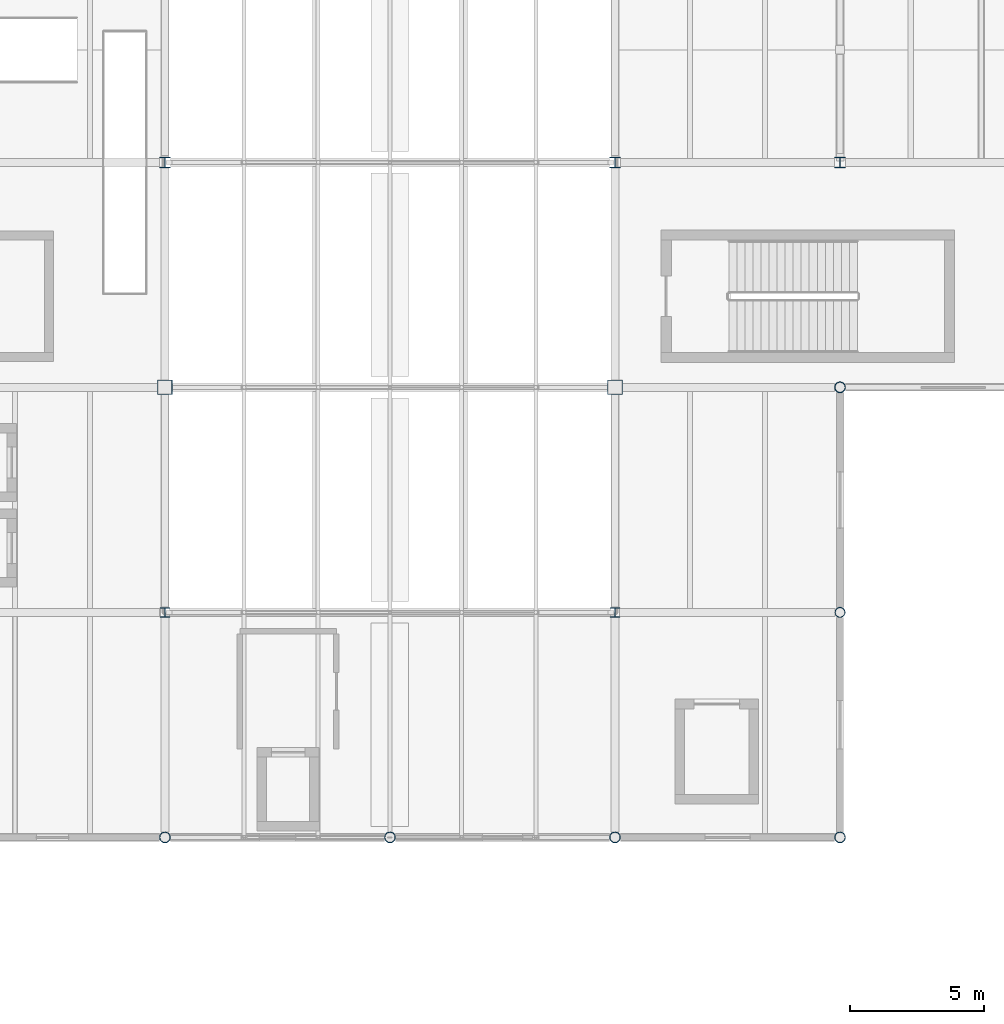
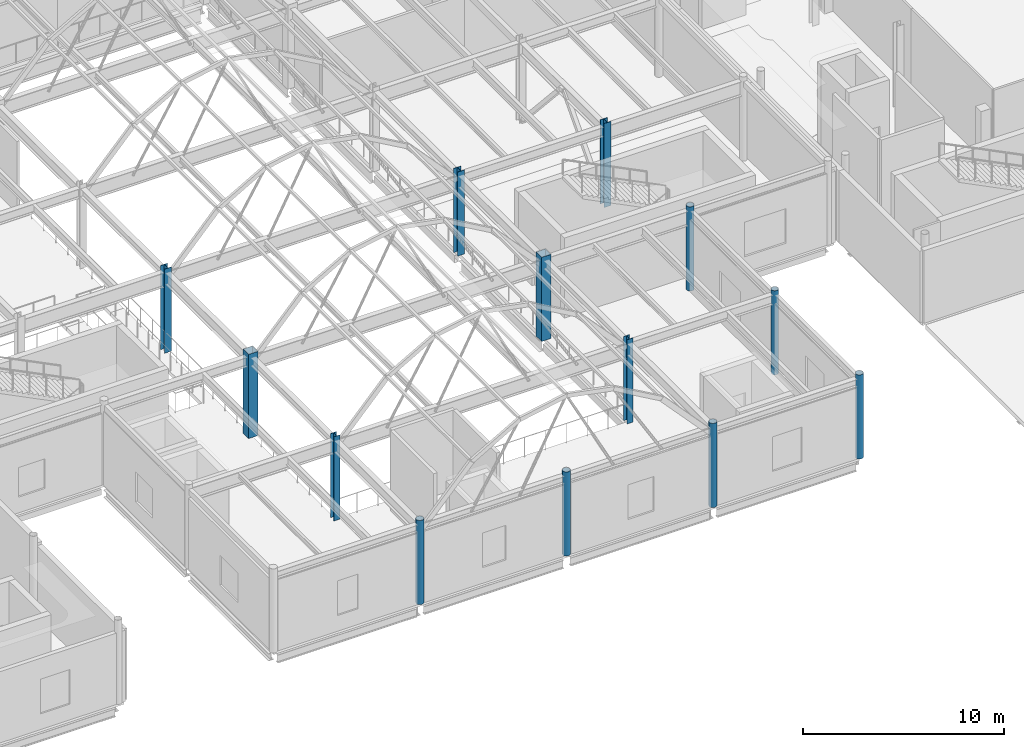
# One storey, part 4 of 103: 13 columns.
"""IFC4 building model written with IfcOpenShell, lengths in metres."""

from ifc_helpers import new_model, si_unit, direction, frame, origin, origin_2d, place, context, subcontext, project, spatial, hollow_rectangle, hollow_circle, i_section, extrude, material, material_profile, profile_set, type_object, element, save


model = new_model("IFC4")

# Units and contexts
model_context = context("Model", 3, precision=1e-05, world=origin(), true_north=direction((0.0, 1.0)))
body_context = subcontext(model_context, "Body", "Model", "MODEL_VIEW")
ifc_project = project(units=[si_unit("LENGTHUNIT", "METRE"), si_unit("AREAUNIT", "SQUARE_METRE"), si_unit("VOLUMEUNIT", "CUBIC_METRE"), si_unit("PLANEANGLEUNIT", "RADIAN"), si_unit("MASSUNIT", "GRAM", prefix="KILO"), si_unit("THERMODYNAMICTEMPERATUREUNIT", "KELVIN")], contexts=[model_context])

# Site, building, storey
site_placement = place(None, origin())
site = spatial("IfcSite", under=ifc_project, at=site_placement, CompositionType="ELEMENT")
building_placement = place(site_placement, origin())
building = spatial("IfcBuilding", under=site, at=building_placement, Name="Lustrewick Department Store", CompositionType="ELEMENT")
storey_placement = place(building_placement, frame((0.0, 0.0, 16.5)))
storey = spatial("IfcBuildingStorey", under=building, at=storey_placement, Name="L04", CompositionType="ELEMENT", Elevation=16.5)

# Columns
ifc_material_1 = material(Name="Structural steel Q355C", Category="steel")
ifc_material_profile_1 = material_profile(ifc_material_1, hollow_rectangle(XDim=0.550048828125, YDim=0.550048828125, WallThickness=0.02197265625, at=origin_2d()), Name="BOX 550x550x22")
ifc_profile_set_1 = profile_set([ifc_material_profile_1], Name="Structural steel Q355C")
column_type_1 = type_object("IfcColumnType", Name="C05", PredefinedType="COLUMN", material=ifc_profile_set_1)
for number, where, z_axis, x_axis, name in (
    (1, (75.60009765625, 58.800048828125, 0.0), (0.0, 0.0, 1.0), (1.0, 0.0, 0.0), "L04 V2 Column C05"),
    (2, (92.39990234375, 58.800048828125, 0.0), (0.0, 0.0, 1.0), (1.0, 0.0, 0.0), "L04 V2 Column C05"),
):
    element("IfcColumn", number, at=place(storey_placement, frame(where, z_axis=z_axis, x_axis=x_axis)), inside=storey, type_object=column_type_1, Name=name, PredefinedType="COLUMN", context=body_context, shape_type="SweptSolid", body=[
        extrude(hollow_rectangle(XDim=0.550048828125, YDim=0.550048828125, WallThickness=0.02197265625, at=origin_2d()), origin(), (0.0, 0.0, 1.0), 5.10009765625),
    ])
ifc_material_2 = material(Name="Structural steel Q355B", Category="steel")
ifc_material_profile_2 = material_profile(ifc_material_2, i_section(OverallWidth=0.402099609375, OverallDepth=0.387939453125, WebThickness=0.014892578125, FlangeThickness=0.014892578125, FilletRadius=0.02197265625, at=origin_2d()), Name="HW 388x402x15x15")
ifc_profile_set_2 = profile_set([ifc_material_profile_2], Name="Structural steel Q355B")
column_type_2 = type_object("IfcColumnType", Name="C12", PredefinedType="COLUMN", material=ifc_profile_set_2)
for number, where, z_axis, x_axis, name in (
    (3, (75.60009765625, 67.199951171875, 0.0), (0.0, 0.0, 1.0), (1.0, 0.0, 0.0), "L04 V2 Column C12"),
    (4, (92.39990234375, 67.199951171875, 0.0), (0.0, 0.0, 1.0), (1.0, 0.0, 0.0), "L04 V2 Column C12"),
    (5, (100.800048828125, 67.199951171875, 0.0), (0.0, 0.0, 1.0), (1.0, 0.0, 0.0), "L04 V2 Column C12"),
):
    element("IfcColumn", number, at=place(storey_placement, frame(where, z_axis=z_axis, x_axis=x_axis)), inside=storey, type_object=column_type_2, Name=name, PredefinedType="COLUMN", context=body_context, shape_type="SweptSolid", body=[
        extrude(i_section(OverallWidth=0.402099609375, OverallDepth=0.387939453125, WebThickness=0.014892578125, FlangeThickness=0.014892578125, FilletRadius=0.02197265625, at=origin_2d()), origin(), (0.0, 0.0, 1.0), 5.10009765625),
    ])
ifc_material_profile_3 = material_profile(ifc_material_2, i_section(OverallWidth=0.35009765625, OverallDepth=0.35009765625, WebThickness=0.011962890625, FlangeThickness=0.01904296875, FilletRadius=0.02001953125, at=origin_2d()), Name="HW 350x350x12x19")
ifc_profile_set_3 = profile_set([ifc_material_profile_3], Name="Structural steel Q355B")
column_type_3 = type_object("IfcColumnType", Name="C13", PredefinedType="COLUMN", material=ifc_profile_set_3)
for number, where, z_axis, x_axis, name in (
    (6, (75.60009765625, 50.39990234375, 0.0), (0.0, 0.0, 1.0), (1.0, 0.0, 0.0), "L04 V2 Column C13"),
    (7, (92.39990234375, 50.39990234375, 0.0), (0.0, 0.0, 1.0), (1.0, 0.0, 0.0), "L04 V2 Column C13"),
):
    element("IfcColumn", number, at=place(storey_placement, frame(where, z_axis=z_axis, x_axis=x_axis)), inside=storey, type_object=column_type_3, Name=name, PredefinedType="COLUMN", context=body_context, shape_type="SweptSolid", body=[
        extrude(i_section(OverallWidth=0.35009765625, OverallDepth=0.35009765625, WebThickness=0.011962890625, FlangeThickness=0.01904296875, FilletRadius=0.02001953125, at=origin_2d()), origin(), (0.0, 0.0, 1.0), 5.10009765625),
    ])
ifc_material_profile_4 = material_profile(ifc_material_1, hollow_circle(Radius=0.202880859375, WallThickness=0.01611328125, at=origin_2d()), Name="CHS 406x16")
ifc_profile_set_4 = profile_set([ifc_material_profile_4], Name="Structural steel Q355C")
column_type_4 = type_object("IfcColumnType", Name="CE03", PredefinedType="COLUMN", material=ifc_profile_set_4)
for number, where, z_axis, x_axis, name in (
    (8, (75.60009765625, 42.0, 0.0), (0.0, 0.0, 1.0), (1.0, 0.0, 0.0), "L04 V2 Column CE03"),
    (9, (84.0, 42.0, 0.0), (0.0, 0.0, 1.0), (1.0, 0.0, 0.0), "L04 V2 Column CE03"),
    (10, (92.39990234375, 42.0, 0.0), (0.0, 0.0, 1.0), (1.0, 0.0, 0.0), "L04 V2 Column CE03"),
    (11, (100.800048828125, 42.0, 0.0), (0.0, 0.0, 1.0), (1.0, 0.0, 0.0), "L04 V2 Column CE03"),
    (12, (100.800048828125, 58.800048828125, 0.0), (0.0, 0.0, 1.0), (1.0, 0.0, 0.0), "L04 V2 Column CE03"),
):
    element("IfcColumn", number, at=place(storey_placement, frame(where, z_axis=z_axis, x_axis=x_axis)), inside=storey, type_object=column_type_4, Name=name, PredefinedType="COLUMN", context=body_context, shape_type="SweptSolid", body=[
        extrude(hollow_circle(Radius=0.202880859375, WallThickness=0.01611328125, at=origin_2d()), origin(), (0.0, 0.0, 1.0), 5.10009765625),
    ])
ifc_material_profile_5 = material_profile(ifc_material_2, hollow_circle(Radius=0.1884765625, WallThickness=0.013916015625, at=origin_2d()), Name="CHS 377x14")
ifc_profile_set_5 = profile_set([ifc_material_profile_5], Name="Structural steel Q355B")
column_type_5 = type_object("IfcColumnType", Name="CE04", PredefinedType="COLUMN", material=ifc_profile_set_5)
column_placement = place(storey_placement, frame((100.800048828125, 50.39990234375, 0.0), z_axis=(0.0, 0.0, 1.0), x_axis=(1.0, 0.0, 0.0)))
element("IfcColumn", 13, at=column_placement, inside=storey, type_object=column_type_5, Name="L04 V2 Column CE04", PredefinedType="COLUMN", context=body_context, shape_type="SweptSolid", body=[
    extrude(hollow_circle(Radius=0.1884765625, WallThickness=0.013916015625, at=origin_2d()), origin(), (0.0, 0.0, 1.0), 5.10009765625),
])

save(model, "model.ifc")
